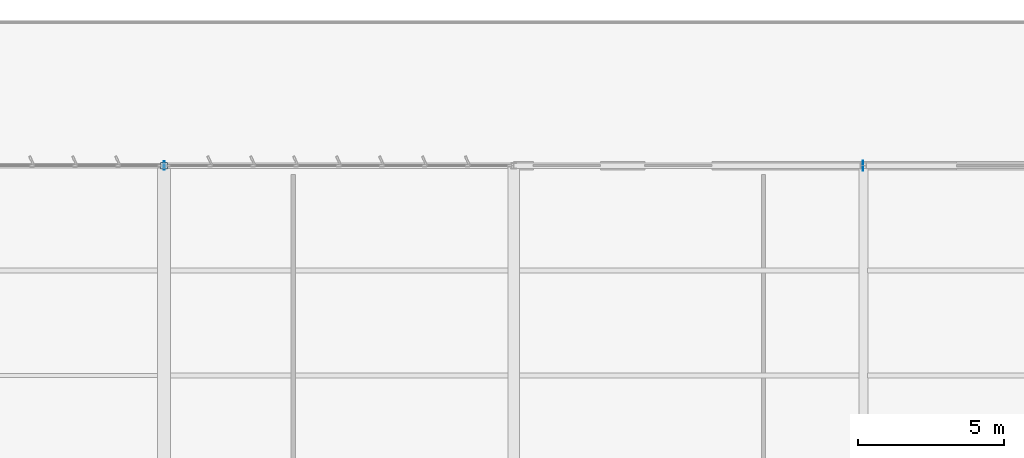
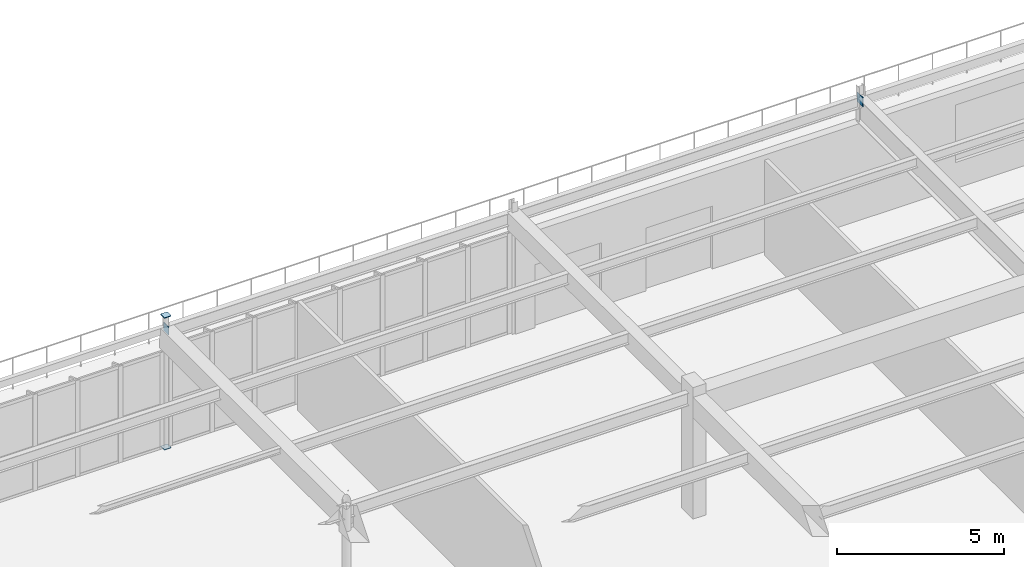
# One storey, part 157 of 199: 4 plates.
"""IFC4 building model written with IfcOpenShell, lengths in metres."""

import ifcopenshell
import ifcopenshell.guid

model = None  # the IFC model being written
_history = None  # IfcOwnerHistory: only IFC2X3 demands one
_inside = {}  # id of a spatial element -> (the spatial element, [elements in it])
_under = {}  # id of a project, library or spatial element -> (it, [spatial elements below it])
_declared = {}  # id of a project -> (the project, [libraries it declares])
_typed = {}  # id of a type object -> (the type object, [elements of that type])
_made_of = {}  # id of a material, layer set ... -> (it, [elements and type objects made of it])


def new_model(schema):
    """Start an empty IFC model of exactly this schema.

    Asked for "IFC4X3", IfcOpenShell would pick the latest addendum, in which some entities
    have other attributes; the version numbers below select the first issue.
    IFC2X3 requires an IfcOwnerHistory on every rooted entity: one is made here for all.
    """
    global model, _history
    if schema == "IFC4X3":
        model = ifcopenshell.file(schema_version=(4, 3, 0, 0))
    else:
        model = ifcopenshell.file(schema=schema)
    _inside.clear()
    _under.clear()
    _declared.clear()
    _typed.clear()
    _made_of.clear()
    _history = None
    if model.schema == "IFC2X3":
        org = make("IfcOrganization", Name="unknown")
        user = make(
            "IfcPersonAndOrganization",
            ThePerson=make("IfcPerson", FamilyName="unknown"),
            TheOrganization=org,
        )
        app = make(
            "IfcApplication",
            ApplicationDeveloper=org,
            Version="unknown",
            ApplicationFullName="unknown",
            ApplicationIdentifier="unknown",
        )
        _history = make(
            "IfcOwnerHistory",
            OwningUser=user,
            OwningApplication=app,
            ChangeAction="ADDED",
            CreationDate=0,
        )
    return model


def make(cls, **values):
    """One entity of the class cls with the attributes given. An attribute that is None is left unset."""
    return model.create_entity(
        cls, **{name: value for name, value in values.items() if value is not None}
    )


def rooted(cls, **values):
    """An entity with a GlobalId (a new one), such as an element, a storey or a relation."""
    return make(cls, GlobalId=ifcopenshell.guid.new(), OwnerHistory=_history, **values)


def si_unit(unit_type, name, prefix=None):
    """IfcSIUnit, for example si_unit("LENGTHUNIT", "METRE", prefix="MILLI")."""
    return make("IfcSIUnit", UnitType=unit_type, Prefix=prefix, Name=name)


def assignment(units):
    """IfcUnitAssignment: the units of a project."""
    return None if units is None else make("IfcUnitAssignment", Units=units)


def point(xyz):
    """IfcCartesianPoint."""
    return None if xyz is None else make("IfcCartesianPoint", Coordinates=xyz)


def direction(xyz):
    """IfcDirection."""
    return None if xyz is None else make("IfcDirection", DirectionRatios=xyz)


def frame(location, z_axis=None, x_axis=None):
    """IfcAxis2Placement3D, a coordinate frame: its origin and axes. An axis left out is left unset."""
    return make(
        "IfcAxis2Placement3D",
        Location=point(location),
        Axis=direction(z_axis),
        RefDirection=direction(x_axis),
    )


def frame_2d(location, x_axis=None):
    """IfcAxis2Placement2D, a coordinate frame in the plane: its origin and x axis."""
    return make(
        "IfcAxis2Placement2D", Location=point(location), RefDirection=direction(x_axis)
    )


def origin():
    """The frame at (0, 0, 0) with its axes left unset."""
    return frame((0.0, 0.0, 0.0))


def origin_2d():
    """The frame at (0, 0) in the plane with its x axis left unset."""
    return frame_2d((0.0, 0.0))


def place(relative_to, where):
    """IfcLocalPlacement: puts the frame where relative to a parent placement (None: the world)."""
    return make(
        "IfcLocalPlacement", PlacementRelTo=relative_to, RelativePlacement=where
    )


def context(
    kind, dimensions, precision=None, world=None, true_north=None, identifier=None
):
    """IfcGeometricRepresentationContext, for example the 3D "Model" context."""
    return make(
        "IfcGeometricRepresentationContext",
        ContextIdentifier=identifier,
        ContextType=kind,
        CoordinateSpaceDimension=dimensions,
        Precision=precision,
        WorldCoordinateSystem=world,
        TrueNorth=true_north,
    )


def subcontext(parent, identifier, kind, view, scale=None):
    """IfcGeometricRepresentationSubContext, for example "Body" below "Model"."""
    return make(
        "IfcGeometricRepresentationSubContext",
        ContextIdentifier=identifier,
        ContextType=kind,
        ParentContext=parent,
        TargetScale=scale,
        TargetView=view,
    )


def project(units=None, contexts=None):
    """IfcProject with its units and contexts."""
    return rooted(
        "IfcProject",
        Name="project",
        RepresentationContexts=contexts,
        UnitsInContext=assignment(units),
    )


def spatial(cls, under=None, at=None, **own):
    """A site, building, storey or space (cls), placed at a placement, below another one or the project."""
    s = rooted(cls, ObjectPlacement=at, **own)
    if under is not None:
        _under.setdefault(under.id(), (under, []))[1].append(s)
    return s


def profile(cls, at=None, kind="AREA", **sizes):
    """A parametric profile (cls). Its sizes go by their IFC names, for example OverallWidth=200.0."""
    return make(cls, ProfileType=kind, Position=at, **sizes)


def rectangle(**sizes):
    """IfcRectangleProfileDef."""
    return profile("IfcRectangleProfileDef", **sizes)


def extrude(swept, where, along, depth):
    """IfcExtrudedAreaSolid: the profile swept, set in the frame where, extruded along a direction by depth."""
    return make(
        "IfcExtrudedAreaSolid",
        SweptArea=swept,
        Position=where,
        ExtrudedDirection=direction(along),
        Depth=depth,
    )


def shape(context_of_items, identifier, shape_type, items):
    """IfcShapeRepresentation: the items that make up one representation, for example the "Body"."""
    return make(
        "IfcShapeRepresentation",
        ContextOfItems=context_of_items,
        RepresentationIdentifier=identifier,
        RepresentationType=shape_type,
        Items=items,
    )


def material(Name=None, Category=None):
    """IfcMaterial."""
    return make("IfcMaterial", Name=Name, Category=Category)


def layer(
    of_material, thickness, ventilated=None, Name=None, Category=None, Priority=None
):
    """IfcMaterialLayer: one layer of a wall or slab, of a material (None: an air gap)."""
    return make(
        "IfcMaterialLayer",
        Material=of_material,
        LayerThickness=thickness,
        IsVentilated=ventilated,
        Name=Name,
        Category=Category,
        Priority=Priority,
    )


def layer_set(layers, Name=None):
    """IfcMaterialLayerSet."""
    return make("IfcMaterialLayerSet", MaterialLayers=layers, LayerSetName=Name)


def made_of(thing, what):
    """Note that an element or type object is made of a material, layer set ...; save() writes the relation."""
    if what is not None:
        _made_of.setdefault(what.id(), (what, []))[1].append(thing)
    return thing


def type_object(cls, material=None, **own):
    """A type object (cls), such as IfcWallType, which elements share."""
    return made_of(rooted(cls, **own), material)


def element(
    cls,
    number,
    at=None,
    inside=None,
    cuts=None,
    type_object=None,
    material=None,
    context=None,
    identifier="Body",
    shape_type=None,
    held_by="IfcProductDefinitionShape",
    body=None,
    shapes=None,
    **own,
):
    """One element of the class cls, such as IfcWall. Its Tag is "e" and its number.

    at: its placement. inside: the storey or other place that contains it. cuts: it is an
    opening in that element (IfcRelVoidsElement). A single representation is given by context,
    identifier, shape_type and body (its items); several are given by shapes. held_by: the class
    of the entity that holds the representations. save() writes the other relations.
    """
    e = rooted(cls, Tag="e%d" % number, ObjectPlacement=at, **own)
    if body is not None:
        shapes = [shape(context, identifier, shape_type, body)]
    if shapes is not None:
        e.Representation = make(held_by, Representations=shapes)
    if inside is not None:
        _inside.setdefault(inside.id(), (inside, []))[1].append(e)
    if cuts is not None:
        rooted(
            "IfcRelVoidsElement", RelatingBuildingElement=cuts, RelatedOpeningElement=e
        )
    if type_object is not None:
        _typed.setdefault(type_object.id(), (type_object, []))[1].append(e)
    return made_of(e, material)


def aggregate(whole, parts):
    """IfcRelAggregates: a whole, such as a stair, and the parts it consists of."""
    return rooted("IfcRelAggregates", RelatingObject=whole, RelatedObjects=parts)


def save(model, path):
    """Write the relations noted so far, then the file.

    IfcRelAggregates (storeys below a building ...), IfcRelContainedInSpatialStructure (elements
    in a storey), IfcRelDefinesByType, IfcRelAssociatesMaterial and IfcRelDeclares: one each for
    every whole, place, type object, material and project.
    """
    for whole, parts in _under.values():
        aggregate(whole, parts)
    for where, things in _inside.values():
        rooted(
            "IfcRelContainedInSpatialStructure",
            RelatedElements=things,
            RelatingStructure=where,
        )
    for kind, things in _typed.values():
        rooted("IfcRelDefinesByType", RelatedObjects=things, RelatingType=kind)
    for what, things in _made_of.values():
        rooted("IfcRelAssociatesMaterial", RelatedObjects=things, RelatingMaterial=what)
    for by, libraries in _declared.values():
        rooted("IfcRelDeclares", RelatingContext=by, RelatedDefinitions=libraries)
    model.write(path)


model = new_model("IFC4")

# Units and contexts
model_context = context("Model", 3, precision=1e-05, world=origin(), true_north=direction((0.0, 1.0)))
body_context = subcontext(model_context, "Body", "Model", "MODEL_VIEW")
ifc_project = project(units=[si_unit("LENGTHUNIT", "METRE"), si_unit("AREAUNIT", "SQUARE_METRE"), si_unit("VOLUMEUNIT", "CUBIC_METRE"), si_unit("PLANEANGLEUNIT", "RADIAN"), si_unit("MASSUNIT", "GRAM", prefix="KILO")], contexts=[model_context])

# Site, building, storey
site_placement = place(None, origin())
site = spatial("IfcSite", under=ifc_project, at=site_placement, CompositionType="ELEMENT")
building_placement = place(site_placement, origin())
building = spatial("IfcBuilding", under=site, at=building_placement, Name="Tarnwether General Hospital", CompositionType="ELEMENT")
storey_placement = place(building_placement, origin())
storey = spatial("IfcBuildingStorey", under=building, at=storey_placement, Name="L00", CompositionType="ELEMENT", Elevation=0.0)

# Plates
ifc_material = material(Name="Steel Grade 350 (350 MPa)", Category="steel")
ifc_layer = layer(ifc_material, 0.02490234375)
ifc_layer_set = layer_set([ifc_layer], Name="Steel Grade 350 (350 MPa)")
plate_type = type_object("IfcPlateType", Name="PT-GUS2", PredefinedType="USERDEFINED", material=ifc_layer_set)
for number, where, z_axis, x_axis, name in (
    (1, (156.0, 126.0, -0.02490234375), (0.0, 0.0, 1.0), (1.0, 0.0, 0.0), "Hollow Section Welded End Cap Plate 0357"),
    (2, (156.0, 126.0, 4.800048828125), (0.0, 0.0, 1.0), (1.0, 0.0, 0.0), "Hollow Section Welded End Cap Plate 0358"),
):
    element("IfcPlate", number, at=place(storey_placement, frame(where, z_axis=z_axis, x_axis=x_axis)), inside=storey, type_object=plate_type, Name=name, ObjectType="GUSSET", PredefinedType="USERDEFINED", context=body_context, shape_type="SweptSolid", body=[
        extrude(rectangle(XDim=0.23388671875, YDim=0.23388671875, at=origin_2d()), origin(), (0.0, 0.0, 1.0), 0.02490234375),
    ])
plate_1_placement = place(storey_placement, frame((156.012451171875, 126.0, 4.175048828125), z_axis=(0.0, 0.0, 1.0), x_axis=(1.0, 0.0, 0.0)))
element("IfcPlate", 3, at=plate_1_placement, inside=storey, type_object=plate_type, Name="Hollow Section Welded End Cap Plate 0892", ObjectType="GUSSET", PredefinedType="USERDEFINED", context=body_context, shape_type="SweptSolid", body=[
    extrude(rectangle(XDim=0.02490234375, YDim=0.2900390625, at=origin_2d()), origin(), (0.0, 0.0, 1.0), 0.2900390625),
])
plate_2_placement = place(storey_placement, frame((179.987548828125, 126.0, 4.125), z_axis=(0.0, 0.0, 1.0), x_axis=(1.0, 0.0, 0.0)))
element("IfcPlate", 4, at=plate_2_placement, inside=storey, type_object=plate_type, Name="Hollow Section Welded End Cap Plate 0897", ObjectType="GUSSET", PredefinedType="USERDEFINED", context=body_context, shape_type="SweptSolid", body=[
    extrude(rectangle(XDim=0.02490234375, YDim=0.340087890625, at=origin_2d()), origin(), (0.0, 0.0, 1.0), 0.340087890625),
])

save(model, "model.ifc")
